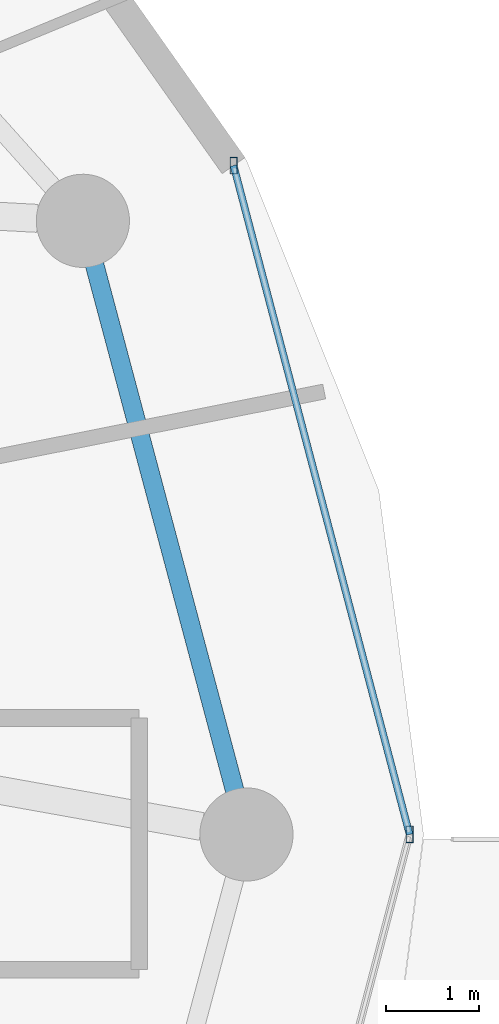
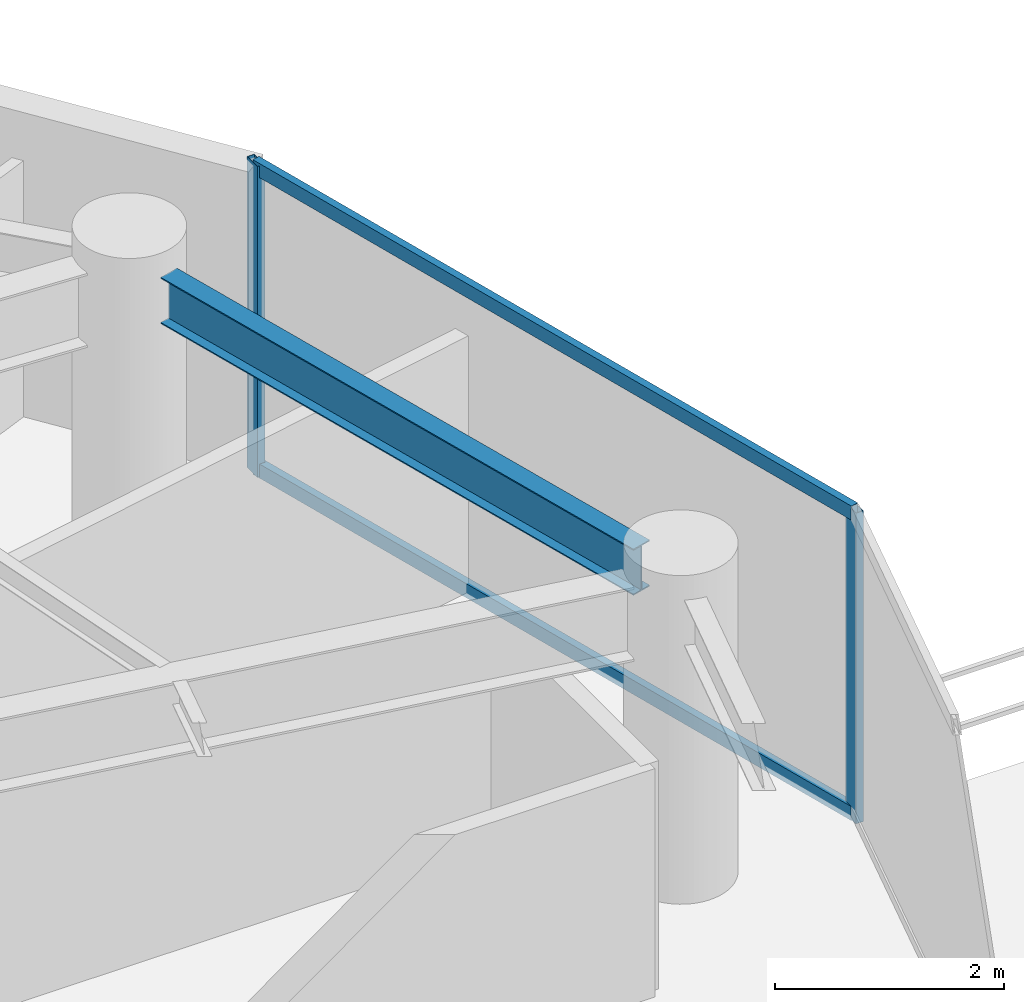
# One storey, part 15 of 30: 4 members, 1 beam, 1 element without a shape of its own.
"""IFC4 building model written with IfcOpenShell, lengths in metres."""

from ifc_helpers import new_model, si_unit, direction, frame, origin, origin_2d, place, context, subcontext, project, spatial, hollow_rectangle, i_section, extrude, material, material_profile, profile_set, type_object, element, aggregate, save


model = new_model("IFC4")

# Units and contexts
model_context = context("Model", 3, precision=1e-05, world=origin(), true_north=direction((0.0, 1.0)))
body_context = subcontext(model_context, "Body", "Model", "MODEL_VIEW")
ifc_project = project(units=[si_unit("LENGTHUNIT", "METRE"), si_unit("AREAUNIT", "SQUARE_METRE"), si_unit("VOLUMEUNIT", "CUBIC_METRE"), si_unit("PLANEANGLEUNIT", "RADIAN"), si_unit("MASSUNIT", "GRAM", prefix="KILO")], contexts=[model_context])

# Site, building, storey
site_placement = place(None, origin())
site = spatial("IfcSite", under=ifc_project, at=site_placement, CompositionType="ELEMENT")
building_placement = place(site_placement, origin())
building = spatial("IfcBuilding", under=site, at=building_placement, Name="Vorneva Point Tower", CompositionType="ELEMENT")
storey_placement = place(building_placement, frame((0.0, 0.0, 153.60009765625)))
storey = spatial("IfcBuildingStorey", under=building, at=storey_placement, Name="L41", CompositionType="ELEMENT", Elevation=153.60009765625)

# Beam
ifc_material_1 = material(Name="Steel S355", Category="steel")
ifc_material_profile_1 = material_profile(ifc_material_1, i_section(OverallWidth=0.199951171875, OverallDepth=0.491943359375, WebThickness=0.0087890625, FlangeThickness=0.011962890625, at=origin_2d()), Name="50B1")
ifc_profile_set_1 = profile_set([ifc_material_profile_1], Name="Steel S355")
beam_type = type_object("IfcBeamType", Name="BM-SPN-50B1", PredefinedType="SPANDREL", material=ifc_profile_set_1)
beam_placement = place(storey_placement, frame((60.925048828125, 26.468505859375, 2.993896484375), z_axis=(-0.257550804648, 0.966264758245, 0.0), x_axis=(-0.966264758245, -0.257550804648, 0.0)))
element("IfcBeam", 1, at=beam_placement, inside=storey, type_object=beam_type, Name="L41 Perimeter Spandrel Ring Beam 01", PredefinedType="SPANDREL", context=body_context, shape_type="SweptSolid", body=[
    extrude(i_section(OverallWidth=0.199951171875, OverallDepth=0.491943359375, WebThickness=0.0087890625, FlangeThickness=0.011962890625, at=origin_2d()), origin(), (0.0, 0.0, 1.0), 5.842041015625),
])

# Curtain wall, members
ifc_material_2 = material(Name="Pale anodised aluminium", Category="aluminium")
curtain_wall_type = type_object("IfcCurtainWallType", Name="CW-RES-SYS", PredefinedType="NOTDEFINED", material=ifc_material_2)
curtain_wall_placement = place(storey_placement, origin())
curtain_wall = element("IfcCurtainWall", 2, at=curtain_wall_placement, inside=storey, type_object=curtain_wall_type, Name="L41 Unitised Curtain Wall CW-L41-R01", PredefinedType="NOTDEFINED")
ifc_material_profile_2 = material_profile(ifc_material_2, hollow_rectangle(XDim=0.074951171875, YDim=0.179931640625, WallThickness=0.00390625, at=origin_2d()), Name="AL-MUL 180x75x4")
ifc_profile_set_2 = profile_set([ifc_material_profile_2], Name="Pale anodised aluminium")
member_type_1 = type_object("IfcMemberType", Name="CW-MUL-180", PredefinedType="MULLION", material=ifc_profile_set_2)
member_1_placement = place(storey_placement, frame((62.800048828125, 26.0, -0.0400390625), z_axis=(0.0, 0.0, 1.0), x_axis=(1.0, 0.0, 0.0)))
member_1 = element("IfcMember", 3, at=member_1_placement, type_object=member_type_1, Name="CW-L41-R01 Mullion 02", PredefinedType="MULLION", context=body_context, shape_type="SweptSolid", body=[
    extrude(hollow_rectangle(XDim=0.074951171875, YDim=0.179931640625, WallThickness=0.00390625, at=origin_2d()), origin(), (0.0, 0.0, 1.0), 3.31005859375),
])
member_2_placement = place(storey_placement, frame((60.912109375, 33.17529296875, -0.0400390625), z_axis=(0.0, 0.0, 1.0), x_axis=(1.0, 0.0, 0.0)))
member_2 = element("IfcMember", 4, at=member_2_placement, type_object=member_type_1, Name="CW-L41-R01 Mullion 03", PredefinedType="MULLION", context=body_context, shape_type="SweptSolid", body=[
    extrude(hollow_rectangle(XDim=0.074951171875, YDim=0.179931640625, WallThickness=0.00390625, at=origin_2d()), origin(), (0.0, 0.0, 1.0), 3.31005859375),
])
ifc_material_profile_3 = material_profile(ifc_material_2, hollow_rectangle(XDim=0.074951171875, YDim=0.14990234375, WallThickness=0.00390625, at=origin_2d()), Name="AL-TRN 150x75x4")
ifc_profile_set_3 = profile_set([ifc_material_profile_3], Name="Pale anodised aluminium")
member_type_2 = type_object("IfcMemberType", Name="CW-TRN-150", PredefinedType="USERDEFINED", material=ifc_profile_set_3)
member_3_placement = place(storey_placement, frame((62.800048828125, 26.0, 0.02001953125), z_axis=(-0.254456046293, 0.967084339913, 0.0), x_axis=(-0.967084339913, -0.254456046293, 0.0)))
member_3 = element("IfcMember", 5, at=member_3_placement, type_object=member_type_2, Name="CW-L41-R01 Transom 02.1", ObjectType="TRANSOM", PredefinedType="USERDEFINED", context=body_context, shape_type="SweptSolid", body=[
    extrude(hollow_rectangle(XDim=0.074951171875, YDim=0.14990234375, WallThickness=0.00390625, at=origin_2d()), origin(), (0.0, 0.0, 1.0), 7.41943359375),
])
member_4_placement = place(storey_placement, frame((62.800048828125, 26.0, 3.219970703125), z_axis=(-0.254456046293, 0.967084339913, 0.0), x_axis=(-0.967084339913, -0.254456046293, 0.0)))
member_4 = element("IfcMember", 6, at=member_4_placement, type_object=member_type_2, Name="CW-L41-R01 Transom 02.2", ObjectType="TRANSOM", PredefinedType="USERDEFINED", context=body_context, shape_type="SweptSolid", body=[
    extrude(hollow_rectangle(XDim=0.074951171875, YDim=0.14990234375, WallThickness=0.00390625, at=origin_2d()), origin(), (0.0, 0.0, 1.0), 7.41943359375),
])
aggregate(curtain_wall, [member_1, member_2, member_3, member_4])

save(model, "model.ifc")
